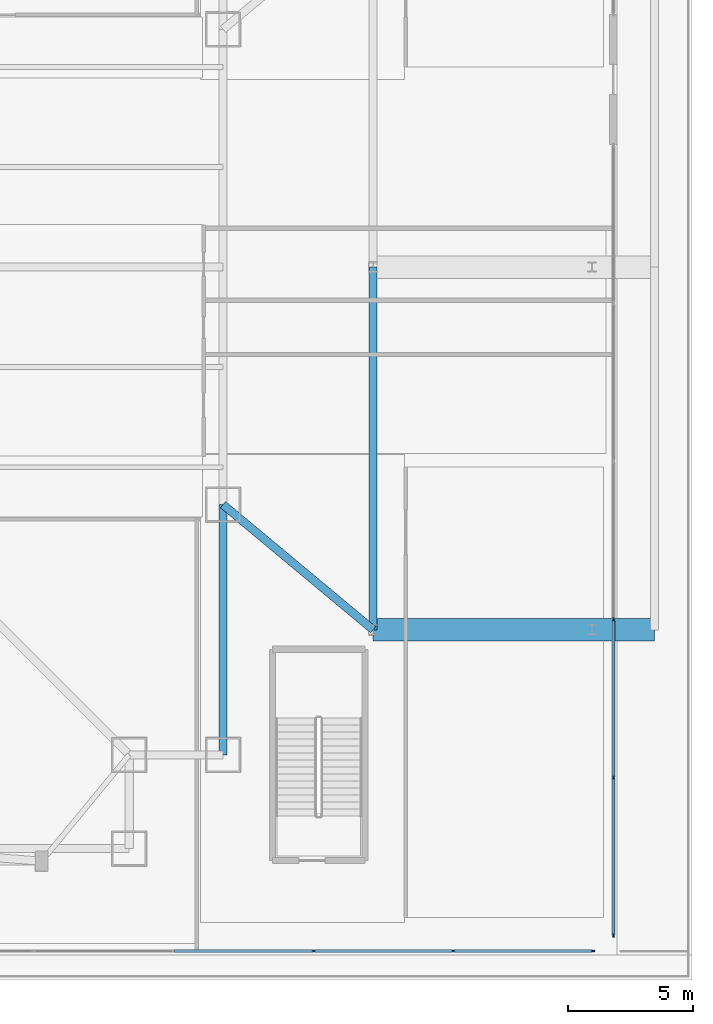
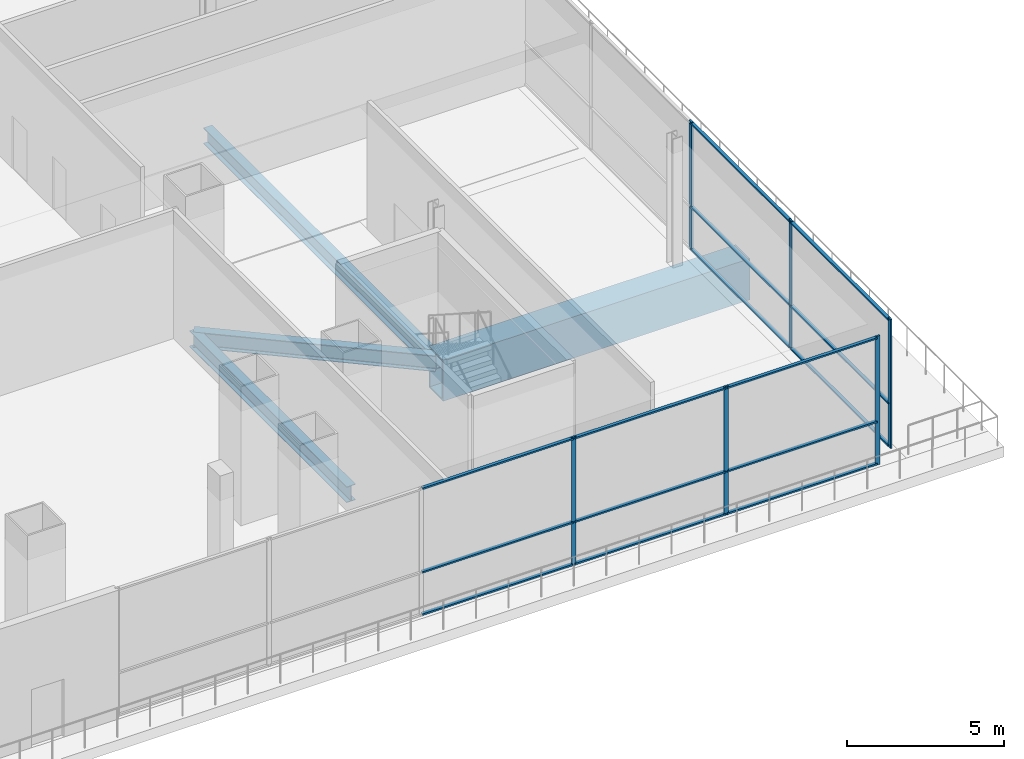
# One storey, part 16 of 36: 21 members, 4 beams, 2 elements without a shape of their own.
"""IFC4 building model written with IfcOpenShell, lengths in metres."""

from ifc_helpers import new_model, si_unit, direction, frame, origin, origin_2d, place, context, subcontext, project, spatial, rectangle, hollow_rectangle, i_section, extrude, material, layer, layer_set, material_profile, profile_set, type_object, element, aggregate, save


model = new_model("IFC4")

# Units and contexts
model_context = context("Model", 3, precision=1e-05, world=origin(), true_north=direction((0.0, 1.0)))
body_context = subcontext(model_context, "Body", "Model", "MODEL_VIEW")
ifc_project = project(units=[si_unit("LENGTHUNIT", "METRE"), si_unit("AREAUNIT", "SQUARE_METRE"), si_unit("VOLUMEUNIT", "CUBIC_METRE"), si_unit("PLANEANGLEUNIT", "RADIAN"), si_unit("MASSUNIT", "GRAM", prefix="KILO")], contexts=[model_context])

# Site, building, storey
site_placement = place(None, origin())
site = spatial("IfcSite", under=ifc_project, at=site_placement, CompositionType="ELEMENT")
building_placement = place(site_placement, origin())
building = spatial("IfcBuilding", under=site, at=building_placement, Name="Trevonay Congress Spire", CompositionType="ELEMENT")
storey_placement = place(building_placement, frame((0.0, 0.0, 5.39990234375)))
storey = spatial("IfcBuildingStorey", under=building, at=storey_placement, Name="L01", CompositionType="ELEMENT", Elevation=5.39990234375)

# Beams
ifc_material_1 = material(Name="Steel ASTM A572 Grade 50", Category="steel")
ifc_material_profile_1 = material_profile(ifc_material_1, i_section(OverallWidth=0.324951171875, OverallDepth=0.615966796875, WebThickness=0.013916015625, FlangeThickness=0.021484375, FilletRadius=0.01806640625, at=origin_2d()), Name="W610x174")
ifc_profile_set_1 = profile_set([ifc_material_profile_1], Name="Steel ASTM A572 Grade 50")
beam_type_1 = type_object("IfcBeamType", Name="BM-GIRD-W610X174", PredefinedType="BEAM", material=ifc_profile_set_1)
beam_1_placement = place(storey_placement, frame((23.25, -19.5, -0.7080078125), z_axis=(0.0, 1.0, 0.0), x_axis=(-1.0, 0.0, 0.0)))
element("IfcBeam", 1, at=beam_1_placement, inside=storey, type_object=beam_type_1, Name="L01 structural beam BM-L01-ME1", PredefinedType="BEAM", context=body_context, shape_type="SweptSolid", body=[
    extrude(i_section(OverallWidth=0.324951171875, OverallDepth=0.615966796875, WebThickness=0.013916015625, FlangeThickness=0.021484375, FilletRadius=0.01806640625, at=origin_2d()), origin(), (0.0, 0.0, 1.0), 10.0),
])
beam_2_placement = place(storey_placement, frame((29.25, -14.5, -0.7080078125), z_axis=(0.0, 1.0, 0.0), x_axis=(-1.0, 0.0, 0.0)))
element("IfcBeam", 2, at=beam_2_placement, inside=storey, type_object=beam_type_1, Name="L01 structural beam BM-L01-POD-EL", PredefinedType="BEAM", context=body_context, shape_type="SweptSolid", body=[
    extrude(i_section(OverallWidth=0.324951171875, OverallDepth=0.615966796875, WebThickness=0.013916015625, FlangeThickness=0.021484375, FilletRadius=0.01806640625, at=origin_2d()), origin(), (0.0, 0.0, 1.0), 14.5),
])
beam_3_placement = place(storey_placement, frame((23.25, -9.5, -0.7080078125), z_axis=(0.768221279597, -0.640184399664, 0.0), x_axis=(0.640184399664, 0.768221279597, 0.0)))
element("IfcBeam", 3, at=beam_3_placement, inside=storey, type_object=beam_type_1, Name="L01 structural beam BM-L01-POD-ET1", PredefinedType="BEAM", context=body_context, shape_type="SweptSolid", body=[
    extrude(i_section(OverallWidth=0.324951171875, OverallDepth=0.615966796875, WebThickness=0.013916015625, FlangeThickness=0.021484375, FilletRadius=0.01806640625, at=origin_2d()), origin(), (0.0, 0.0, 1.0), 7.810302734375),
])
ifc_material_profile_2 = material_profile(ifc_material_1, hollow_rectangle(XDim=0.89990234375, YDim=1.60009765625, WallThickness=0.06005859375, at=origin_2d()), Name="BOX 1600x900x60")
ifc_profile_set_2 = profile_set([ifc_material_profile_2], Name="Steel ASTM A572 Grade 50")
beam_type_2 = type_object("IfcBeamType", Name="BM-XFER-BOX1600", PredefinedType="BEAM", material=ifc_profile_set_2)
beam_4_placement = place(storey_placement, frame((29.25, -14.5, -1.199951171875), z_axis=(1.0, 0.0, 0.0), x_axis=(0.0, 1.0, 0.0)))
element("IfcBeam", 4, at=beam_4_placement, inside=storey, type_object=beam_type_2, Name="L01 structural beam BM-L01-EXE-S", PredefinedType="BEAM", context=body_context, shape_type="SweptSolid", body=[
    extrude(hollow_rectangle(XDim=0.89990234375, YDim=1.60009765625, WallThickness=0.06005859375, at=origin_2d()), origin(), (0.0, 0.0, 1.0), 11.25),
])

# Curtain wall, members
ifc_material_2 = material(Name="Pale Anodised Aluminium EN AW-6063-T6", Category="aluminium")
ifc_layer = layer(ifc_material_2, 0.179931640625, Name="Pale Anodised Aluminium EN AW-6063-T6")
ifc_layer_set = layer_set([ifc_layer], Name="Pale Anodised Aluminium EN AW-6063-T6")
curtain_wall_type = type_object("IfcCurtainWallType", Name="CW-SYS01-PODIUM-PALE-METAL", PredefinedType="NOTDEFINED", material=ifc_layer_set)
curtain_wall_1_placement = place(storey_placement, origin())
curtain_wall_1 = element("IfcCurtainWall", 5, at=curtain_wall_1_placement, inside=storey, type_object=curtain_wall_type, Name="L01 E1 podium curtain wall", PredefinedType="NOTDEFINED")
ifc_material_profile_3 = material_profile(ifc_material_2, rectangle(XDim=0.06005859375, YDim=0.159912109375, at=origin_2d()), Name="CW-MULLION-160-ALUMINIUM")
ifc_profile_set_3 = profile_set([ifc_material_profile_3], Name="Pale Anodised Aluminium EN AW-6063-T6")
member_type_1 = type_object("IfcMemberType", Name="CW-MULLION-160-ALUMINIUM", PredefinedType="MULLION", material=ifc_profile_set_3)
member_1_placement = place(storey_placement, frame((38.85009765625, -26.719970703125, 0.0), z_axis=(0.0, 0.0, 1.0), x_axis=(-1.0, 0.0, 0.0)))
member_1 = element("IfcMember", 6, at=member_1_placement, type_object=member_type_1, Name="CW01 mullion 1", PredefinedType="MULLION", context=body_context, shape_type="SweptSolid", body=[
    extrude(rectangle(XDim=0.06005859375, YDim=0.159912109375, at=origin_2d()), origin(), (0.0, 0.0, 1.0), 5.0),
])
member_2_placement = place(storey_placement, frame((38.85009765625, -20.419921875, 0.0), z_axis=(0.0, 0.0, 1.0), x_axis=(-1.0, 0.0, 0.0)))
member_2 = element("IfcMember", 7, at=member_2_placement, type_object=member_type_1, Name="CW01 mullion 2", PredefinedType="MULLION", context=body_context, shape_type="SweptSolid", body=[
    extrude(rectangle(XDim=0.06005859375, YDim=0.159912109375, at=origin_2d()), origin(), (0.0, 0.0, 1.0), 5.0),
])
member_3_placement = place(storey_placement, frame((38.85009765625, -14.090087890625, 0.0), z_axis=(0.0, 0.0, 1.0), x_axis=(-1.0, 0.0, 0.0)))
member_3 = element("IfcMember", 8, at=member_3_placement, type_object=member_type_1, Name="CW01 mullion 3", PredefinedType="MULLION", context=body_context, shape_type="SweptSolid", body=[
    extrude(rectangle(XDim=0.06005859375, YDim=0.159912109375, at=origin_2d()), origin(), (0.0, 0.0, 1.0), 5.0),
])

curtain_wall_2_placement = place(storey_placement, origin())
curtain_wall_2 = element("IfcCurtainWall", 9, at=curtain_wall_2_placement, inside=storey, type_object=curtain_wall_type, Name="L01 S2 podium curtain wall", PredefinedType="NOTDEFINED")
member_4_placement = place(storey_placement, frame((26.8701171875, -27.35009765625, 0.0), z_axis=(0.0, 0.0, 1.0), x_axis=(0.0, 1.0, 0.0)))
member_4 = element("IfcMember", 10, at=member_4_placement, type_object=member_type_1, Name="CW01 mullion 4", PredefinedType="MULLION", context=body_context, shape_type="SweptSolid", body=[
    extrude(rectangle(XDim=0.06005859375, YDim=0.159912109375, at=origin_2d()), origin(), (0.0, 0.0, 1.0), 5.0),
])
member_5_placement = place(storey_placement, frame((32.4599609375, -27.35009765625, 0.0), z_axis=(0.0, 0.0, 1.0), x_axis=(0.0, 1.0, 0.0)))
member_5 = element("IfcMember", 11, at=member_5_placement, type_object=member_type_1, Name="CW01 mullion 5", PredefinedType="MULLION", context=body_context, shape_type="SweptSolid", body=[
    extrude(rectangle(XDim=0.06005859375, YDim=0.159912109375, at=origin_2d()), origin(), (0.0, 0.0, 1.0), 5.0),
])
member_6_placement = place(storey_placement, frame((38.02001953125, -27.35009765625, 0.0), z_axis=(0.0, 0.0, 1.0), x_axis=(0.0, 1.0, 0.0)))
member_6 = element("IfcMember", 12, at=member_6_placement, type_object=member_type_1, Name="CW01 mullion 6", PredefinedType="MULLION", context=body_context, shape_type="SweptSolid", body=[
    extrude(rectangle(XDim=0.06005859375, YDim=0.159912109375, at=origin_2d()), origin(), (0.0, 0.0, 1.0), 5.0),
])

# Member
ifc_material_profile_4 = material_profile(ifc_material_2, rectangle(XDim=0.1201171875, YDim=0.06005859375, at=origin_2d()), Name="CW-TRANSOM-120-ALUMINIUM")
ifc_profile_set_4 = profile_set([ifc_material_profile_4], Name="Pale Anodised Aluminium EN AW-6063-T6")
member_type_2 = type_object("IfcMemberType", Name="CW-TRANSOM-120-ALUMINIUM", PredefinedType="USERDEFINED", material=ifc_profile_set_4)
member_7_placement = place(storey_placement, frame((38.85009765625, -26.68994140625, 0.06005859375), z_axis=(0.0, 1.0, 0.0), x_axis=(-1.0, 0.0, 0.0)))
member_7 = element("IfcMember", 13, at=member_7_placement, type_object=member_type_2, Name="CW01 transom 1.1", ObjectType="TRANSOM", PredefinedType="USERDEFINED", context=body_context, shape_type="SweptSolid", body=[
    extrude(rectangle(XDim=0.1201171875, YDim=0.06005859375, at=origin_2d()), origin(), (0.0, 0.0, 1.0), 6.239990234375),
])

member_8_placement = place(storey_placement, frame((38.85009765625, -26.68994140625, 1.7001953125), z_axis=(0.0, 1.0, 0.0), x_axis=(-1.0, 0.0, 0.0)))
member_8 = element("IfcMember", 14, at=member_8_placement, type_object=member_type_2, Name="CW01 transom 1.2", ObjectType="TRANSOM", PredefinedType="USERDEFINED", context=body_context, shape_type="SweptSolid", body=[
    extrude(rectangle(XDim=0.1201171875, YDim=0.06005859375, at=origin_2d()), origin(), (0.0, 0.0, 1.0), 6.239990234375),
])

member_9_placement = place(storey_placement, frame((38.85009765625, -26.68994140625, 4.940185546875), z_axis=(0.0, 1.0, 0.0), x_axis=(-1.0, 0.0, 0.0)))
member_9 = element("IfcMember", 15, at=member_9_placement, type_object=member_type_2, Name="CW01 transom 1.3", ObjectType="TRANSOM", PredefinedType="USERDEFINED", context=body_context, shape_type="SweptSolid", body=[
    extrude(rectangle(XDim=0.1201171875, YDim=0.06005859375, at=origin_2d()), origin(), (0.0, 0.0, 1.0), 6.239990234375),
])

member_10_placement = place(storey_placement, frame((38.85009765625, -20.389892578125, 0.06005859375), z_axis=(0.0, 1.0, 0.0), x_axis=(-1.0, 0.0, 0.0)))
member_10 = element("IfcMember", 16, at=member_10_placement, type_object=member_type_2, Name="CW01 transom 2.1", ObjectType="TRANSOM", PredefinedType="USERDEFINED", context=body_context, shape_type="SweptSolid", body=[
    extrude(rectangle(XDim=0.1201171875, YDim=0.06005859375, at=origin_2d()), origin(), (0.0, 0.0, 1.0), 6.269775390625),
])

member_11_placement = place(storey_placement, frame((38.85009765625, -20.389892578125, 1.7001953125), z_axis=(0.0, 1.0, 0.0), x_axis=(-1.0, 0.0, 0.0)))
member_11 = element("IfcMember", 17, at=member_11_placement, type_object=member_type_2, Name="CW01 transom 2.2", ObjectType="TRANSOM", PredefinedType="USERDEFINED", context=body_context, shape_type="SweptSolid", body=[
    extrude(rectangle(XDim=0.1201171875, YDim=0.06005859375, at=origin_2d()), origin(), (0.0, 0.0, 1.0), 6.269775390625),
])

member_12_placement = place(storey_placement, frame((38.85009765625, -20.389892578125, 4.940185546875), z_axis=(0.0, 1.0, 0.0), x_axis=(-1.0, 0.0, 0.0)))
member_12 = element("IfcMember", 18, at=member_12_placement, type_object=member_type_2, Name="CW01 transom 2.3", ObjectType="TRANSOM", PredefinedType="USERDEFINED", context=body_context, shape_type="SweptSolid", body=[
    extrude(rectangle(XDim=0.1201171875, YDim=0.06005859375, at=origin_2d()), origin(), (0.0, 0.0, 1.0), 6.269775390625),
])

aggregate(curtain_wall_1, [member_1, member_2, member_3, member_7, member_8, member_9, member_10, member_11, member_12])

member_13_placement = place(storey_placement, frame((21.31005859375, -27.35009765625, 0.06005859375), z_axis=(1.0, 0.0, 0.0), x_axis=(0.0, 1.0, 0.0)))
member_13 = element("IfcMember", 19, at=member_13_placement, type_object=member_type_2, Name="CW01 transom 3.1", ObjectType="TRANSOM", PredefinedType="USERDEFINED", context=body_context, shape_type="SweptSolid", body=[
    extrude(rectangle(XDim=0.1201171875, YDim=0.06005859375, at=origin_2d()), origin(), (0.0, 0.0, 1.0), 5.530029296875),
])

member_14_placement = place(storey_placement, frame((21.31005859375, -27.35009765625, 1.7001953125), z_axis=(1.0, 0.0, 0.0), x_axis=(0.0, 1.0, 0.0)))
member_14 = element("IfcMember", 20, at=member_14_placement, type_object=member_type_2, Name="CW01 transom 3.2", ObjectType="TRANSOM", PredefinedType="USERDEFINED", context=body_context, shape_type="SweptSolid", body=[
    extrude(rectangle(XDim=0.1201171875, YDim=0.06005859375, at=origin_2d()), origin(), (0.0, 0.0, 1.0), 5.530029296875),
])

member_15_placement = place(storey_placement, frame((21.31005859375, -27.35009765625, 4.940185546875), z_axis=(1.0, 0.0, 0.0), x_axis=(0.0, 1.0, 0.0)))
member_15 = element("IfcMember", 21, at=member_15_placement, type_object=member_type_2, Name="CW01 transom 3.3", ObjectType="TRANSOM", PredefinedType="USERDEFINED", context=body_context, shape_type="SweptSolid", body=[
    extrude(rectangle(XDim=0.1201171875, YDim=0.06005859375, at=origin_2d()), origin(), (0.0, 0.0, 1.0), 5.530029296875),
])

member_16_placement = place(storey_placement, frame((26.89990234375, -27.35009765625, 0.06005859375), z_axis=(1.0, 0.0, 0.0), x_axis=(0.0, 1.0, 0.0)))
member_16 = element("IfcMember", 22, at=member_16_placement, type_object=member_type_2, Name="CW01 transom 4.1", ObjectType="TRANSOM", PredefinedType="USERDEFINED", context=body_context, shape_type="SweptSolid", body=[
    extrude(rectangle(XDim=0.1201171875, YDim=0.06005859375, at=origin_2d()), origin(), (0.0, 0.0, 1.0), 5.530029296875),
])

member_17_placement = place(storey_placement, frame((26.89990234375, -27.35009765625, 1.7001953125), z_axis=(1.0, 0.0, 0.0), x_axis=(0.0, 1.0, 0.0)))
member_17 = element("IfcMember", 23, at=member_17_placement, type_object=member_type_2, Name="CW01 transom 4.2", ObjectType="TRANSOM", PredefinedType="USERDEFINED", context=body_context, shape_type="SweptSolid", body=[
    extrude(rectangle(XDim=0.1201171875, YDim=0.06005859375, at=origin_2d()), origin(), (0.0, 0.0, 1.0), 5.530029296875),
])

member_18_placement = place(storey_placement, frame((26.89990234375, -27.35009765625, 4.940185546875), z_axis=(1.0, 0.0, 0.0), x_axis=(0.0, 1.0, 0.0)))
member_18 = element("IfcMember", 24, at=member_18_placement, type_object=member_type_2, Name="CW01 transom 4.3", ObjectType="TRANSOM", PredefinedType="USERDEFINED", context=body_context, shape_type="SweptSolid", body=[
    extrude(rectangle(XDim=0.1201171875, YDim=0.06005859375, at=origin_2d()), origin(), (0.0, 0.0, 1.0), 5.530029296875),
])

member_19_placement = place(storey_placement, frame((32.489990234375, -27.35009765625, 0.06005859375), z_axis=(1.0, 0.0, 0.0), x_axis=(0.0, 1.0, 0.0)))
member_19 = element("IfcMember", 25, at=member_19_placement, type_object=member_type_2, Name="CW01 transom 5.1", ObjectType="TRANSOM", PredefinedType="USERDEFINED", context=body_context, shape_type="SweptSolid", body=[
    extrude(rectangle(XDim=0.1201171875, YDim=0.06005859375, at=origin_2d()), origin(), (0.0, 0.0, 1.0), 5.5),
])

member_20_placement = place(storey_placement, frame((32.489990234375, -27.35009765625, 1.7001953125), z_axis=(1.0, 0.0, 0.0), x_axis=(0.0, 1.0, 0.0)))
member_20 = element("IfcMember", 26, at=member_20_placement, type_object=member_type_2, Name="CW01 transom 5.2", ObjectType="TRANSOM", PredefinedType="USERDEFINED", context=body_context, shape_type="SweptSolid", body=[
    extrude(rectangle(XDim=0.1201171875, YDim=0.06005859375, at=origin_2d()), origin(), (0.0, 0.0, 1.0), 5.5),
])

member_21_placement = place(storey_placement, frame((32.489990234375, -27.35009765625, 4.940185546875), z_axis=(1.0, 0.0, 0.0), x_axis=(0.0, 1.0, 0.0)))
member_21 = element("IfcMember", 27, at=member_21_placement, type_object=member_type_2, Name="CW01 transom 5.3", ObjectType="TRANSOM", PredefinedType="USERDEFINED", context=body_context, shape_type="SweptSolid", body=[
    extrude(rectangle(XDim=0.1201171875, YDim=0.06005859375, at=origin_2d()), origin(), (0.0, 0.0, 1.0), 5.5),
])

aggregate(curtain_wall_2, [member_4, member_5, member_6, member_13, member_14, member_15, member_16, member_17, member_18, member_19, member_20, member_21])

save(model, "model.ifc")
